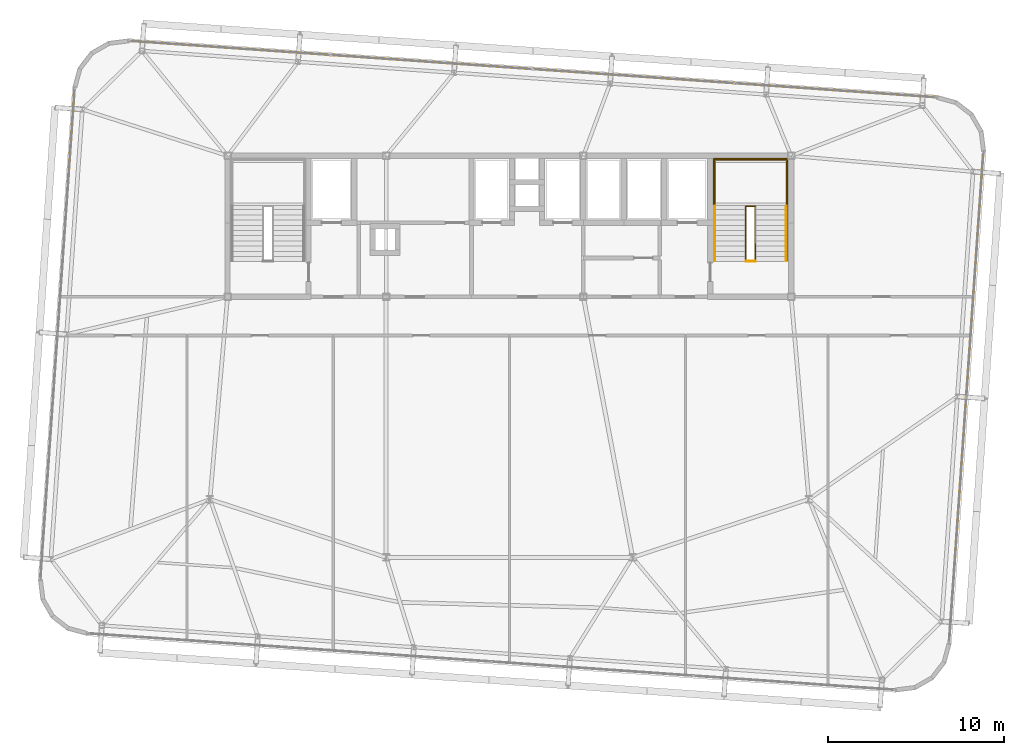
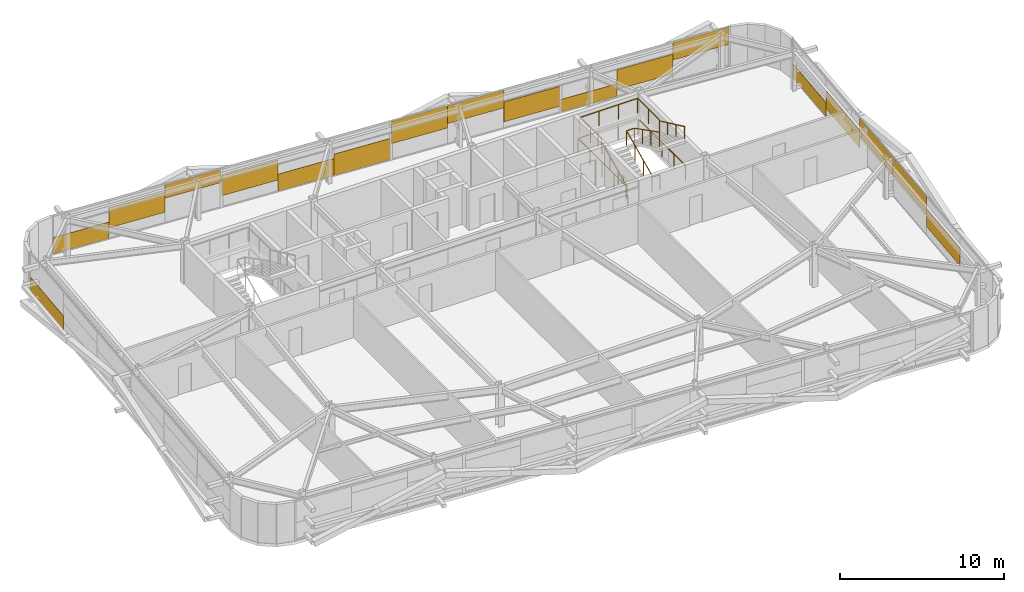
# One storey, part 39 of 39: 18 coverings, 6 railings.
"""IFC4 building model written with IfcOpenShell, lengths in metres."""

from ifc_helpers import new_model, si_unit, direction, frame, origin, origin_2d, place, context, subcontext, project, spatial, rectangle, extrude, source, transform, mapped, material, layer, layer_set, type_object, element, save


model = new_model("IFC4")

# Units and contexts
model_context = context("Model", 3, precision=1e-05, world=origin(), true_north=direction((0.0, 1.0)))
body_context = subcontext(model_context, "Body", "Model", "MODEL_VIEW")
ifc_project = project(units=[si_unit("LENGTHUNIT", "METRE"), si_unit("AREAUNIT", "SQUARE_METRE"), si_unit("VOLUMEUNIT", "CUBIC_METRE"), si_unit("PLANEANGLEUNIT", "RADIAN"), si_unit("MASSUNIT", "GRAM", prefix="KILO")], contexts=[model_context])

# Site, building, storey
site_placement = place(None, origin())
site = spatial("IfcSite", under=ifc_project, at=site_placement, CompositionType="ELEMENT")
building_placement = place(site_placement, origin())
building = spatial("IfcBuilding", under=site, at=building_placement, Name="Taldren Reach Tower", CompositionType="ELEMENT")
storey_placement = place(building_placement, frame((0.0, 0.0, 145.60009765625)))
storey = spatial("IfcBuildingStorey", under=building, at=storey_placement, Name="L44", CompositionType="ELEMENT", Elevation=145.60009765625)

# Railings
ifc_material_1 = material(Name="Steel Gr 350 (C350L0)", Category="steel")
ifc_layer_1 = layer(ifc_material_1, 0.050048828125)
ifc_layer_set_1 = layer_set([ifc_layer_1], Name="Steel Gr 350 (C350L0)")
railing_type_1 = type_object("IfcRailingType", Name="RL-STAIR-GR", PredefinedType="GUARDRAIL", material=ifc_layer_set_1)
railing_1_placement = place(storey_placement, frame((46.659912109375, 29.135009765625, 1.574951171875)))
element("IfcRailing", 1, at=railing_1_placement, inside=storey, type_object=railing_type_1, Name="Stair half-landing perimeter guard ST2-L44", PredefinedType="GUARDRAIL", context=body_context, shape_type="SweptSolid", body=[
    extrude(rectangle(XDim=0.047852, YDim=0.047852, at=origin_2d()), frame((0.0, 0.0, 1.09619140625), z_axis=(0.0, 1.0, 0.0), x_axis=(-1.0, 0.0, 0.0)), (0.0, 0.0, 1.0), 2.64501953125),
    extrude(rectangle(XDim=0.047852, YDim=0.047852, at=origin_2d()), frame((0.0, 2.64501953125, 1.09619140625), z_axis=(1.0, 0.0, 0.0), x_axis=(0.0, 1.0, 0.0)), (0.0, 0.0, 1.0), 4.080078125),
    extrude(rectangle(XDim=0.047852, YDim=0.047852, at=origin_2d()), frame((4.080078125, 2.64501953125, 1.09619140625), z_axis=(0.0, -1.0, 0.0), x_axis=(1.0, 0.0, 0.0)), (0.0, 0.0, 1.0), 2.64501953125),
    extrude(rectangle(XDim=0.041992, YDim=0.041992, at=origin_2d()), origin(), (0.0, 0.0, 1.0), 1.072021484375),
    extrude(rectangle(XDim=0.041992, YDim=0.041992, at=origin_2d()), frame((0.0, 1.322509765625, 0.0)), (0.0, 0.0, 1.0), 1.072021484375),
    extrude(rectangle(XDim=0.041992, YDim=0.041992, at=origin_2d()), frame((0.0, 2.64501953125, 0.0)), (0.0, 0.0, 1.0), 1.072021484375),
    extrude(rectangle(XDim=0.041992, YDim=0.041992, at=origin_2d()), frame((1.360107421875, 2.64501953125, 0.0)), (0.0, 0.0, 1.0), 1.072021484375),
    extrude(rectangle(XDim=0.041992, YDim=0.041992, at=origin_2d()), frame((2.719970703125, 2.64501953125, 0.0)), (0.0, 0.0, 1.0), 1.072021484375),
    extrude(rectangle(XDim=0.041992, YDim=0.041992, at=origin_2d()), frame((4.080078125, 2.64501953125, 0.0)), (0.0, 0.0, 1.0), 1.072021484375),
    extrude(rectangle(XDim=0.041992, YDim=0.041992, at=origin_2d()), frame((4.080078125, 1.322509765625, 0.0)), (0.0, 0.0, 1.0), 1.072021484375),
    extrude(rectangle(XDim=0.041992, YDim=0.041992, at=origin_2d()), frame((4.080078125, 0.0, 0.0)), (0.0, 0.0, 1.0), 1.072021484375),
])
railing_2_placement = place(storey_placement, frame((48.429931640625, 26.050048828125, 0.131103515625)))
element("IfcRailing", 2, at=railing_2_placement, inside=storey, type_object=railing_type_1, Name="Stairwell inner guard ST2-L44", PredefinedType="GUARDRAIL", context=body_context, shape_type="SweptSolid", body=[
    extrude(rectangle(XDim=0.047852, YDim=0.047852, at=origin_2d()), frame((0.0, 0.0, 1.09619140625), z_axis=(0.0, 0.905710134349, 0.423897573167), x_axis=(-1.0, 0.0, 0.0)), (0.0, 0.0, 1.0), 3.406005859375),
    extrude(rectangle(XDim=0.047852, YDim=0.047852, at=origin_2d()), frame((0.0, 3.0849609375, 2.5400390625), z_axis=(1.0, 0.0, 0.0), x_axis=(0.0, 1.0, 0.0)), (0.0, 0.0, 1.0), 0.5400390625),
    extrude(rectangle(XDim=0.047852, YDim=0.047852, at=origin_2d()), frame((0.5400390625, 3.0849609375, 2.5400390625), z_axis=(0.0, -0.890645957773, 0.45469745755), x_axis=(1.0, 0.0, 0.0)), (0.0, 0.0, 1.0), 3.463623046875),
    extrude(rectangle(XDim=0.041992, YDim=0.041992, at=origin_2d()), origin(), (0.0, 0.0, 1.0), 1.072021484375),
    extrude(rectangle(XDim=0.041992, YDim=0.041992, at=origin_2d()), frame((0.0, 1.0283203125, 0.481201171875)), (0.0, 0.0, 1.0), 1.072021484375),
    extrude(rectangle(XDim=0.041992, YDim=0.041992, at=origin_2d()), frame((0.0, 2.056640625, 0.962646484375)), (0.0, 0.0, 1.0), 1.072021484375),
    extrude(rectangle(XDim=0.041992, YDim=0.041992, at=origin_2d()), frame((0.0, 3.0849609375, 1.44384765625)), (0.0, 0.0, 1.0), 1.072021484375),
    extrude(rectangle(XDim=0.041992, YDim=0.041992, at=origin_2d()), frame((0.5400390625, 3.0849609375, 1.44384765625)), (0.0, 0.0, 1.0), 1.072021484375),
    extrude(rectangle(XDim=0.041992, YDim=0.041992, at=origin_2d()), frame((0.5400390625, 2.056640625, 1.96875)), (0.0, 0.0, 1.0), 1.072021484375),
    extrude(rectangle(XDim=0.041992, YDim=0.041992, at=origin_2d()), frame((0.5400390625, 1.0283203125, 2.493896484375)), (0.0, 0.0, 1.0), 1.072021484375),
    extrude(rectangle(XDim=0.041992, YDim=0.041992, at=origin_2d()), frame((0.5400390625, 0.0, 3.018798828125)), (0.0, 0.0, 1.0), 1.072021484375),
])
railing_3_placement = place(storey_placement, frame((48.429931640625, 26.010009765625, 0.0)))
element("IfcRailing", 3, at=railing_3_placement, inside=storey, type_object=railing_type_1, Name="Stairwell landing slot guard ST2-L44", PredefinedType="GUARDRAIL", context=body_context, shape_type="SweptSolid", body=[
    extrude(rectangle(XDim=0.047852, YDim=0.047852, at=origin_2d()), frame((0.0, 0.0, 1.09619140625), z_axis=(1.0, 0.0, 0.0), x_axis=(0.0, 1.0, 0.0)), (0.0, 0.0, 1.0), 0.5400390625),
    extrude(rectangle(XDim=0.041992, YDim=0.041992, at=origin_2d()), origin(), (0.0, 0.0, 1.0), 1.072021484375),
    extrude(rectangle(XDim=0.041992, YDim=0.041992, at=origin_2d()), frame((0.5400390625, 0.0, 0.0)), (0.0, 0.0, 1.0), 1.072021484375),
])
railing_4_placement = place(storey_placement, frame((46.590087890625, 26.050048828125, 0.0)))
element("IfcRailing", 4, at=railing_4_placement, inside=storey, type_object=railing_type_1, Name="Stairwell floor opening guard ST2-L44", PredefinedType="GUARDRAIL", context=body_context, shape_type="SweptSolid", body=[
    extrude(rectangle(XDim=0.047852, YDim=0.047852, at=origin_2d()), frame((0.0, 0.0, 1.09619140625), z_axis=(0.0, 1.0, 0.0), x_axis=(-1.0, 0.0, 0.0)), (0.0, 0.0, 1.0), 5.800048828125),
    extrude(rectangle(XDim=0.047852, YDim=0.047852, at=origin_2d()), frame((0.0, 5.800048828125, 1.09619140625), z_axis=(1.0, 0.0, 0.0), x_axis=(0.0, 1.0, 0.0)), (0.0, 0.0, 1.0), 4.219970703125),
    extrude(rectangle(XDim=0.047852, YDim=0.047852, at=origin_2d()), frame((4.219970703125, 5.800048828125, 1.09619140625), z_axis=(0.0, -1.0, 0.0), x_axis=(1.0, 0.0, 0.0)), (0.0, 0.0, 1.0), 5.800048828125),
    extrude(rectangle(XDim=0.041992, YDim=0.041992, at=origin_2d()), origin(), (0.0, 0.0, 1.0), 1.072021484375),
    extrude(rectangle(XDim=0.041992, YDim=0.041992, at=origin_2d()), frame((0.0, 1.449951171875, 0.0)), (0.0, 0.0, 1.0), 1.072021484375),
    extrude(rectangle(XDim=0.041992, YDim=0.041992, at=origin_2d()), frame((0.0, 2.89990234375, 0.0)), (0.0, 0.0, 1.0), 1.072021484375),
    extrude(rectangle(XDim=0.041992, YDim=0.041992, at=origin_2d()), frame((0.0, 4.35009765625, 0.0)), (0.0, 0.0, 1.0), 1.072021484375),
    extrude(rectangle(XDim=0.041992, YDim=0.041992, at=origin_2d()), frame((0.0, 5.800048828125, 0.0)), (0.0, 0.0, 1.0), 1.072021484375),
    extrude(rectangle(XDim=0.041992, YDim=0.041992, at=origin_2d()), frame((1.40673828125, 5.800048828125, 0.0)), (0.0, 0.0, 1.0), 1.072021484375),
    extrude(rectangle(XDim=0.041992, YDim=0.041992, at=origin_2d()), frame((2.813232421875, 5.800048828125, 0.0)), (0.0, 0.0, 1.0), 1.072021484375),
    extrude(rectangle(XDim=0.041992, YDim=0.041992, at=origin_2d()), frame((4.219970703125, 5.800048828125, 0.0)), (0.0, 0.0, 1.0), 1.072021484375),
    extrude(rectangle(XDim=0.041992, YDim=0.041992, at=origin_2d()), frame((4.219970703125, 4.35009765625, 0.0)), (0.0, 0.0, 1.0), 1.072021484375),
    extrude(rectangle(XDim=0.041992, YDim=0.041992, at=origin_2d()), frame((4.219970703125, 2.89990234375, 0.0)), (0.0, 0.0, 1.0), 1.072021484375),
    extrude(rectangle(XDim=0.041992, YDim=0.041992, at=origin_2d()), frame((4.219970703125, 1.449951171875, 0.0)), (0.0, 0.0, 1.0), 1.072021484375),
    extrude(rectangle(XDim=0.041992, YDim=0.041992, at=origin_2d()), frame((4.219970703125, 0.0, 0.0)), (0.0, 0.0, 1.0), 1.072021484375),
])
ifc_material_2 = material(Name="Stainless Steel Gr 316", Category="steel")
ifc_layer_2 = layer(ifc_material_2, 0.048095703125)
ifc_layer_set_2 = layer_set([ifc_layer_2], Name="Stainless Steel Gr 316")
railing_type_2 = type_object("IfcRailingType", Name="RL-STAIR-HR", PredefinedType="HANDRAIL", material=ifc_layer_set_2)
railing_5_placement = place(storey_placement, frame((46.669921875, 26.050048828125, 0.131103515625)))
element("IfcRailing", 5, at=railing_5_placement, inside=storey, type_object=railing_type_2, Name="Stair flight handrail ST2-L44-1", PredefinedType="HANDRAIL", context=body_context, shape_type="SweptSolid", body=[
    extrude(rectangle(XDim=0.047852, YDim=0.047852, at=origin_2d()), frame((0.0, 0.0, 0.89599609375), z_axis=(0.0, 0.905710134349, 0.423897573167), x_axis=(-1.0, 0.0, 0.0)), (0.0, 0.0, 1.0), 3.406005859375),
    extrude(rectangle(XDim=0.041992, YDim=0.041992, at=origin_2d()), origin(), (0.0, 0.0, 1.0), 0.871826171875),
    extrude(rectangle(XDim=0.041992, YDim=0.041992, at=origin_2d()), frame((0.0, 1.0283203125, 0.481201171875)), (0.0, 0.0, 1.0), 0.871826171875),
    extrude(rectangle(XDim=0.041992, YDim=0.041992, at=origin_2d()), frame((0.0, 2.056640625, 0.962646484375)), (0.0, 0.0, 1.0), 0.871826171875),
    extrude(rectangle(XDim=0.041992, YDim=0.041992, at=origin_2d()), frame((0.0, 3.0849609375, 1.44384765625)), (0.0, 0.0, 1.0), 0.871826171875),
])
railing_6_placement = place(storey_placement, frame((50.72998046875, 29.135009765625, 1.706298828125)))
element("IfcRailing", 6, at=railing_6_placement, inside=storey, type_object=railing_type_2, Name="Stair flight handrail ST2-L44-2", PredefinedType="HANDRAIL", context=body_context, shape_type="SweptSolid", body=[
    extrude(rectangle(XDim=0.047852, YDim=0.047852, at=origin_2d()), frame((0.0, 0.0, 0.89599609375), z_axis=(0.0, -0.905737652094, 0.423838773095), x_axis=(1.0, 0.0, 0.0)), (0.0, 0.0, 1.0), 3.406005859375),
    extrude(rectangle(XDim=0.041992, YDim=0.041992, at=origin_2d()), origin(), (0.0, 0.0, 1.0), 0.871826171875),
    extrude(rectangle(XDim=0.041992, YDim=0.041992, at=origin_2d()), frame((0.0, -1.0283203125, 0.481201171875)), (0.0, 0.0, 1.0), 0.871826171875),
    extrude(rectangle(XDim=0.041992, YDim=0.041992, at=origin_2d()), frame((0.0, -2.056640625, 0.96240234375)), (0.0, 0.0, 1.0), 0.871826171875),
    extrude(rectangle(XDim=0.041992, YDim=0.041992, at=origin_2d()), frame((0.0, -3.0849609375, 1.443603515625)), (0.0, 0.0, 1.0), 0.871826171875),
])

# Coverings
ifc_material_3 = material(Name="Pale Champagne Fluoropolymer Aluminium Spandrel Cladding", Category="aluminium")
ifc_layer_3 = layer(ifc_material_3, 0.0439453125)
ifc_layer_set_3 = layer_set([ifc_layer_3], Name="Pale Champagne Fluoropolymer Aluminium Spandrel Cladding")
covering_type = type_object("IfcCoveringType", Name="CV-CLAD-044", PredefinedType="CLADDING", material=ifc_layer_set_3)
shared_shape_1 = source(origin(), body_context, "Body", "SweptSolid", [
    extrude(rectangle(XDim=3.79833984375, YDim=0.0439453125, at=origin_2d()), origin(), (0.0, 0.0, 1.0), 1.22216796875),
])
covering_1_placement = place(storey_placement, frame((15.346435546875, 38.385986328125, 0.054931640625), z_axis=(0.0, 0.0, 1.0), x_axis=(-0.99756404731, 0.06975651593, 0.0)))
element("IfcCovering", 7, at=covering_1_placement, inside=storey, type_object=covering_type, Name="Diagrid closure cladding strip CW-4 panel 4.1 3", PredefinedType="CLADDING", context=body_context, shape_type="MappedRepresentation", body=[
    mapped(shared_shape_1, transform((0.0, 0.0, 0.0), scale=1.0)),
])
shared_shape_2 = source(origin(), body_context, "Body", "SweptSolid", [
    extrude(rectangle(XDim=3.79833984375, YDim=0.0439453125, at=origin_2d()), origin(), (0.0, 0.0, 1.0), 1.474365234375),
])
for number, where, z_axis, x_axis, name in (
    (8, (53.5166015625, 35.716796875, 0.55322265625), (0.0, 0.0, 1.0), (-0.99756404731, 0.06975651593, 0.0), "Diagrid closure cladding strip CW-4 panel 1.1 2"),
    (9, (19.135498046875, 38.12109375, 0.84228515625), (0.0, 0.0, 1.0), (-0.99756404731, 0.06975651593, 0.0), "Diagrid closure cladding strip CW-4 panel 4.1 2"),
):
    element("IfcCovering", number, at=place(storey_placement, frame(where, z_axis=z_axis, x_axis=x_axis)), inside=storey, type_object=covering_type, Name=name, PredefinedType="CLADDING", context=body_context, shape_type="MappedRepresentation", body=[
        mapped(shared_shape_2, transform((0.0, 0.0, 0.0), scale=1.0)),
    ])
shared_shape_3 = source(origin(), body_context, "Body", "SweptSolid", [
    extrude(rectangle(XDim=3.79833984375, YDim=0.0439453125, at=origin_2d()), origin(), (0.0, 0.0, 1.0), 0.993408203125),
])
covering_2_placement = place(storey_placement, frame((22.924560546875, 37.85595703125, 1.88134765625), z_axis=(0.0, 0.0, 1.0), x_axis=(-0.99756404731, 0.06975651593, 0.0)))
element("IfcCovering", 10, at=covering_2_placement, inside=storey, type_object=covering_type, Name="Diagrid closure cladding strip CW-4 panel 4.1 1", PredefinedType="CLADDING", context=body_context, shape_type="MappedRepresentation", body=[
    mapped(shared_shape_3, transform((0.0, 0.0, 0.0), scale=1.0)),
])
shared_shape_4 = source(origin(), body_context, "Body", "SweptSolid", [
    extrude(rectangle(XDim=3.81005859375, YDim=0.0439453125, at=origin_2d()), origin(), (0.0, 0.0, 1.0), 1.477783203125),
])
for number, where, z_axis, x_axis, name in (
    (11, (45.86279296875, 36.251953125, 0.509765625), (0.0, 0.0, 1.0), (-0.99756404731, 0.06975651593, 0.0), "Diagrid closure cladding strip CW-4 panel 2.1 1"),
    (12, (26.789306640625, 37.585693359375, 0.88232421875), (0.0, 0.0, 1.0), (-0.99756404731, 0.06975651593, 0.0), "Diagrid closure cladding strip CW-4 panel 3.1 3"),
):
    element("IfcCovering", number, at=place(storey_placement, frame(where, z_axis=z_axis, x_axis=x_axis)), inside=storey, type_object=covering_type, Name=name, PredefinedType="CLADDING", context=body_context, shape_type="MappedRepresentation", body=[
        mapped(shared_shape_4, transform((0.0, 0.0, 0.0), scale=1.0)),
    ])
shared_shape_5 = source(origin(), body_context, "Body", "SweptSolid", [
    extrude(rectangle(XDim=3.81005859375, YDim=0.0439453125, at=origin_2d()), origin(), (0.0, 0.0, 1.0), 1.26220703125),
])
covering_3_placement = place(storey_placement, frame((30.590087890625, 37.320068359375, 0.054931640625), z_axis=(0.0, 0.0, 1.0), x_axis=(-0.99756404731, 0.06975651593, 0.0)))
element("IfcCovering", 13, at=covering_3_placement, inside=storey, type_object=covering_type, Name="Diagrid closure cladding strip CW-4 panel 3.1 2", PredefinedType="CLADDING", context=body_context, shape_type="MappedRepresentation", body=[
    mapped(shared_shape_5, transform((0.0, 0.0, 0.0), scale=1.0)),
])
shared_shape_6 = source(origin(), body_context, "Body", "SweptSolid", [
    extrude(rectangle(XDim=3.81005859375, YDim=0.0439453125, at=origin_2d()), origin(), (0.0, 0.0, 1.0), 1.587890625),
])
covering_4_placement = place(storey_placement, frame((34.390869140625, 37.05419921875, 0.054931640625), z_axis=(0.0, 0.0, 1.0), x_axis=(-0.99756404731, 0.06975651593, 0.0)))
element("IfcCovering", 14, at=covering_4_placement, inside=storey, type_object=covering_type, Name="Diagrid closure cladding strip CW-4 panel 3.1 1", PredefinedType="CLADDING", context=body_context, shape_type="MappedRepresentation", body=[
    mapped(shared_shape_6, transform((0.0, 0.0, 0.0), scale=1.0)),
])
shared_shape_7 = source(origin(), body_context, "Body", "SweptSolid", [
    extrude(rectangle(XDim=3.81005859375, YDim=0.0439453125, at=origin_2d()), origin(), (0.0, 0.0, 1.0), 1.64794921875),
])
covering_5_placement = place(storey_placement, frame((38.261474609375, 36.78369140625, 1.22705078125), z_axis=(0.0, 0.0, 1.0), x_axis=(-0.99756404731, 0.06975651593, 0.0)))
element("IfcCovering", 15, at=covering_5_placement, inside=storey, type_object=covering_type, Name="Diagrid closure cladding strip CW-4 panel 2.1 3", PredefinedType="CLADDING", context=body_context, shape_type="MappedRepresentation", body=[
    mapped(shared_shape_7, transform((0.0, 0.0, 0.0), scale=1.0)),
])
shared_shape_8 = source(origin(), body_context, "Body", "SweptSolid", [
    extrude(rectangle(XDim=3.81005859375, YDim=0.0439453125, at=origin_2d()), origin(), (0.0, 0.0, 1.0), 1.322265625),
])
covering_6_placement = place(storey_placement, frame((42.06201171875, 36.517822265625, 1.552490234375), z_axis=(0.0, 0.0, 1.0), x_axis=(-0.99756404731, 0.06975651593, 0.0)))
element("IfcCovering", 16, at=covering_6_placement, inside=storey, type_object=covering_type, Name="Diagrid closure cladding strip CW-4 panel 2.1 2", PredefinedType="CLADDING", context=body_context, shape_type="MappedRepresentation", body=[
    mapped(shared_shape_8, transform((0.0, 0.0, 0.0), scale=1.0)),
])
shared_shape_9 = source(origin(), body_context, "Body", "SweptSolid", [
    extrude(rectangle(XDim=3.79833984375, YDim=0.0439453125, at=origin_2d()), origin(), (0.0, 0.0, 1.0), 0.93359375),
])
covering_7_placement = place(storey_placement, frame((49.7275390625, 35.981689453125, 0.054931640625), z_axis=(0.0, 0.0, 1.0), x_axis=(-0.99756404731, 0.06975651593, 0.0)))
element("IfcCovering", 17, at=covering_7_placement, inside=storey, type_object=covering_type, Name="Diagrid closure cladding strip CW-4 panel 1.1 3", PredefinedType="CLADDING", context=body_context, shape_type="MappedRepresentation", body=[
    mapped(shared_shape_9, transform((0.0, 0.0, 0.0), scale=1.0)),
])
shared_shape_10 = source(origin(), body_context, "Body", "SweptSolid", [
    extrude(rectangle(XDim=3.79833984375, YDim=0.0439453125, at=origin_2d()), origin(), (0.0, 0.0, 1.0), 1.2822265625),
])
covering_8_placement = place(storey_placement, frame((57.3056640625, 35.451904296875, 1.5927734375), z_axis=(0.0, 0.0, 1.0), x_axis=(-0.99756404731, 0.06975651593, 0.0)))
element("IfcCovering", 18, at=covering_8_placement, inside=storey, type_object=covering_type, Name="Diagrid closure cladding strip CW-4 panel 1.1 1", PredefinedType="CLADDING", context=body_context, shape_type="MappedRepresentation", body=[
    mapped(shared_shape_10, transform((0.0, 0.0, 0.0), scale=1.0)),
])
shared_shape_11 = source(origin(), body_context, "Body", "SweptSolid", [
    extrude(rectangle(XDim=4.631591796875, YDim=0.0439453125, at=origin_2d()), origin(), (0.0, 0.0, 1.0), 1.04345703125),
])
for number, where, z_axis, x_axis, name in (
    (19, (10.1630859375, 33.48974609375, 0.054931640625), (0.0, 0.0, 1.0), (-0.069756437251, -0.997564052812, 0.0), "Diagrid closure cladding strip CW-4 panel 1.1 1"),
    (20, (61.757080078125, 29.882080078125, 0.054931640625), (0.0, 0.0, 1.0), (0.069756437251, 0.997564052812, 0.0), "Diagrid closure cladding strip CW-4 panel 2.1 3"),
):
    element("IfcCovering", number, at=place(storey_placement, frame(where, z_axis=z_axis, x_axis=x_axis)), inside=storey, type_object=covering_type, Name=name, PredefinedType="CLADDING", context=body_context, shape_type="MappedRepresentation", body=[
        mapped(shared_shape_11, transform((0.0, 0.0, 0.0), scale=1.0)),
    ])
shared_shape_12 = source(origin(), body_context, "Body", "SweptSolid", [
    extrude(rectangle(XDim=4.631591796875, YDim=0.0439453125, at=origin_2d()), origin(), (0.0, 0.0, 1.0), 1.306640625),
])
for number, where, z_axis, x_axis, name in (
    (21, (60.4599609375, 11.33056640625, 0.6708984375), (0.0, 0.0, 1.0), (0.069756437251, 0.997564052812, 0.0), "Diagrid closure cladding strip CW-4 panel 1.1 2"),
    (22, (61.43408203125, 25.261474609375, 0.6708984375), (0.0, 0.0, 1.0), (0.069756437251, 0.997564052812, 0.0), "Diagrid closure cladding strip CW-4 panel 2.1 2"),
):
    element("IfcCovering", number, at=place(storey_placement, frame(where, z_axis=z_axis, x_axis=x_axis)), inside=storey, type_object=covering_type, Name=name, PredefinedType="CLADDING", context=body_context, shape_type="MappedRepresentation", body=[
        mapped(shared_shape_12, transform((0.0, 0.0, 0.0), scale=1.0)),
    ])
shared_shape_13 = source(origin(), body_context, "Body", "SweptSolid", [
    extrude(rectangle(XDim=4.631591796875, YDim=0.0439453125, at=origin_2d()), origin(), (0.0, 0.0, 1.0), 1.32470703125),
])
for number, where, z_axis, x_axis, name in (
    (23, (60.782958984375, 15.950927734375, 1.55029296875), (0.0, 0.0, 1.0), (0.069756437251, 0.997564052812, 0.0), "Diagrid closure cladding strip CW-4 panel 1.1 3"),
    (24, (61.111083984375, 20.64111328125, 1.55029296875), (0.0, 0.0, 1.0), (0.069756437251, 0.997564052812, 0.0), "Diagrid closure cladding strip CW-4 panel 2.1 1"),
):
    element("IfcCovering", number, at=place(storey_placement, frame(where, z_axis=z_axis, x_axis=x_axis)), inside=storey, type_object=covering_type, Name=name, PredefinedType="CLADDING", context=body_context, shape_type="MappedRepresentation", body=[
        mapped(shared_shape_13, transform((0.0, 0.0, 0.0), scale=1.0)),
    ])

save(model, "model.ifc")
